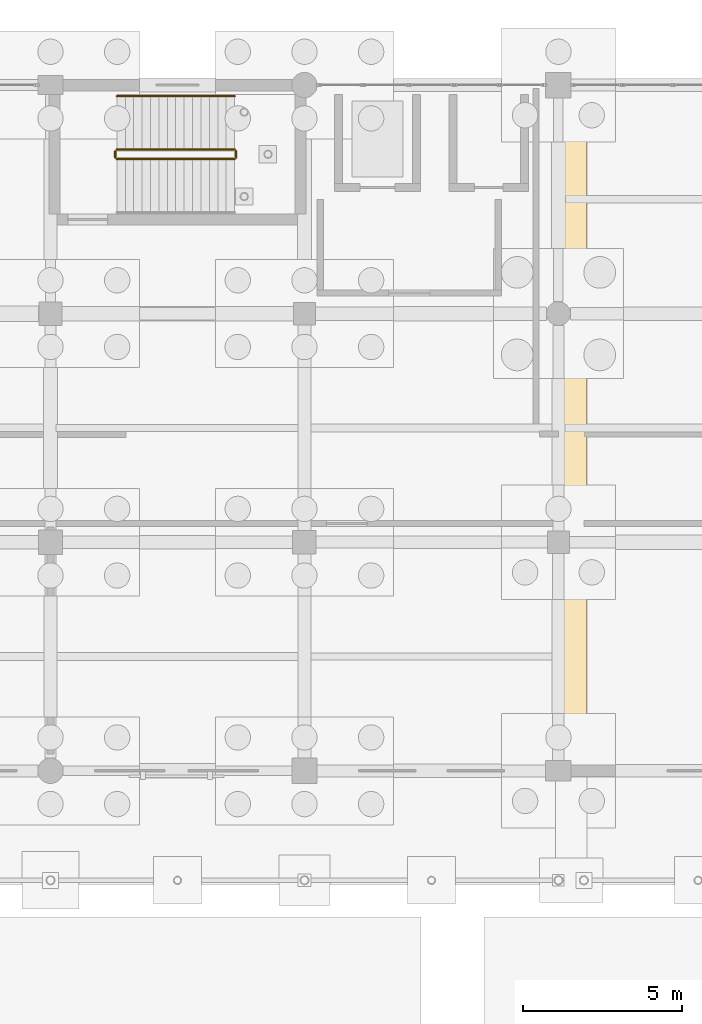
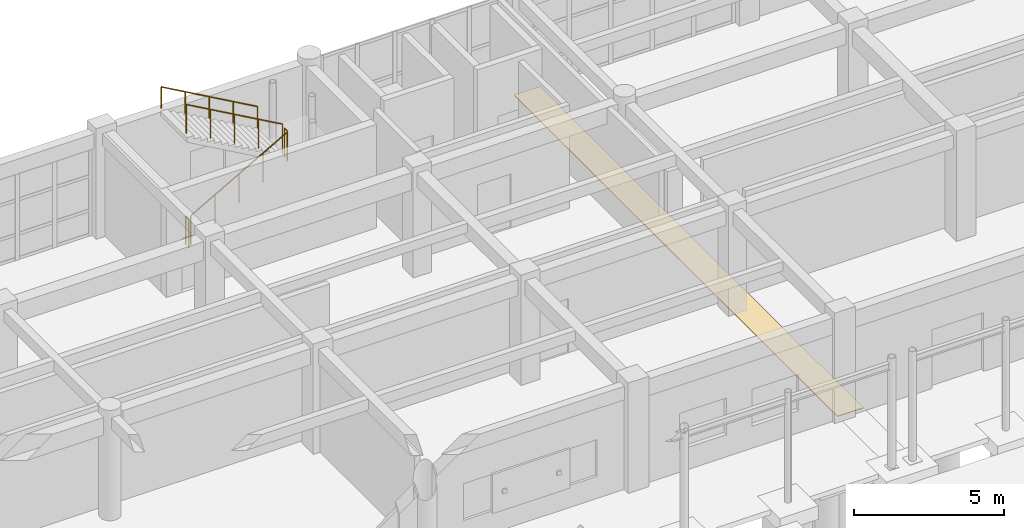
# One storey, part 161 of 166: 5 railings, 1 covering.
"""IFC4 building model written with IfcOpenShell, lengths in metres."""

from ifc_helpers import new_model, si_unit, direction, frame, origin, origin_2d, place, context, subcontext, project, spatial, polyline, circle, outline, extrude, material, layer, layer_set, type_object, element, save


model = new_model("IFC4")

# Units and contexts
model_context = context("Model", 3, precision=1e-05, world=origin(), true_north=direction((0.0, 1.0)))
body_context = subcontext(model_context, "Body", "Model", "MODEL_VIEW")
ifc_project = project(units=[si_unit("LENGTHUNIT", "METRE"), si_unit("AREAUNIT", "SQUARE_METRE"), si_unit("VOLUMEUNIT", "CUBIC_METRE"), si_unit("PLANEANGLEUNIT", "RADIAN"), si_unit("MASSUNIT", "GRAM", prefix="KILO")], contexts=[model_context])

# Site, building, storey
site_placement = place(None, origin())
site = spatial("IfcSite", under=ifc_project, at=site_placement, CompositionType="ELEMENT")
building_placement = place(site_placement, origin())
building = spatial("IfcBuilding", under=site, at=building_placement, Name="Kharva Crest Polytechnic", CompositionType="ELEMENT")
storey_placement = place(building_placement, origin())
storey = spatial("IfcBuildingStorey", under=building, at=storey_placement, Name="L00", CompositionType="ELEMENT", Elevation=0.0)

# Covering
ifc_material_1 = material(Name="Anodised aluminium", Category="aluminium")
ifc_layer = layer(ifc_material_1, 0.030029296875, Name="Anodised aluminium")
ifc_layer_set = layer_set([ifc_layer], Name="Anodised aluminium")
covering_type = type_object("IfcCoveringType", Name="COV-SEISMIC-JOINT", PredefinedType="FLOORING", material=ifc_layer_set)
covering_placement = place(storey_placement, frame((0.0, 0.0, -0.030029296875)))
element("IfcCovering", 1, at=covering_placement, inside=storey, type_object=covering_type, Name="L00 Seismic Expansion Joint Floor Cover N_LAB", PredefinedType="FLOORING", context=body_context, shape_type="SweptSolid", body=[
    extrude(outline(polyline([(119.89990234375, 100.39990234375), (120.89990234375, 100.39990234375), (120.89990234375, 122.0), (119.89990234375, 122.0), (119.89990234375, 100.39990234375)])), origin(), (0.0, 0.0, 1.0), 0.030029296875),
])

# Railings
railing_type_1 = type_object("IfcRailingType", Name="RL-STAIR-GUARD-1200", PredefinedType="GUARDRAIL", material=ifc_material_1)
railing_1_placement = place(storey_placement, frame((106.090087890625, 119.669921875, 0.14990234375)))
element("IfcRailing", 2, at=railing_1_placement, inside=storey, type_object=railing_type_1, Name="L00 ST-04 stair guard 1", PredefinedType="GUARDRAIL", context=body_context, shape_type="SweptSolid", body=[
    extrude(circle(Radius=0.02392578125, at=origin_2d()), frame((0.0, 0.0, 1.17578125), z_axis=(0.870244811389, 0.0, 0.492619496418), x_axis=(0.0, 1.0, 0.0)), (0.0, 0.0, 1.0), 4.26318359375),
    extrude(circle(Radius=0.02099609375, at=origin_2d()), origin(), (0.0, 0.0, 1.0), 1.15185546875),
    extrude(circle(Radius=0.02099609375, at=origin_2d()), frame((0.927490234375, 0.0, 0.52490234375)), (0.0, 0.0, 1.0), 1.15185546875),
    extrude(circle(Radius=0.02099609375, at=origin_2d()), frame((1.85498046875, 0.0, 1.050048828125)), (0.0, 0.0, 1.0), 1.15185546875),
    extrude(circle(Radius=0.02099609375, at=origin_2d()), frame((2.782470703125, 0.0, 1.5751953125)), (0.0, 0.0, 1.0), 1.15185546875),
    extrude(circle(Radius=0.02099609375, at=origin_2d()), frame((3.7099609375, 0.0, 2.10009765625)), (0.0, 0.0, 1.0), 1.15185546875),
])
railing_2_placement = place(storey_placement, frame((109.85009765625, 119.719970703125, 2.25)))
element("IfcRailing", 3, at=railing_2_placement, inside=storey, type_object=railing_type_1, Name="L00 ST-04 stair guard 2", PredefinedType="GUARDRAIL", context=body_context, shape_type="SweptSolid", body=[
    extrude(circle(Radius=0.02392578125, at=origin_2d()), frame((0.0, 0.0, 1.17578125), z_axis=(0.0, 1.0, 0.0), x_axis=(-1.0, 0.0, 0.0)), (0.0, 0.0, 1.0), 0.199951171875),
    extrude(circle(Radius=0.02099609375, at=origin_2d()), origin(), (0.0, 0.0, 1.0), 1.15185546875),
    extrude(circle(Radius=0.02099609375, at=origin_2d()), frame((0.0, 0.199951171875, 0.0)), (0.0, 0.0, 1.0), 1.15185546875),
])
railing_3_placement = place(storey_placement, frame((109.800048828125, 119.969970703125, 2.39990234375)))
element("IfcRailing", 4, at=railing_3_placement, inside=storey, type_object=railing_type_1, Name="L00 ST-04 stair guard 3", PredefinedType="GUARDRAIL", context=body_context, shape_type="SweptSolid", body=[
    extrude(circle(Radius=0.02392578125, at=origin_2d()), frame((0.0, 0.0, 1.17578125), z_axis=(-0.870244811389, 0.0, 0.492619496418), x_axis=(0.0, -1.0, 0.0)), (0.0, 0.0, 1.0), 4.26318359375),
    extrude(circle(Radius=0.02099609375, at=origin_2d()), origin(), (0.0, 0.0, 1.0), 1.15185546875),
    extrude(circle(Radius=0.02099609375, at=origin_2d()), frame((-0.927490234375, 0.0, 0.52490234375)), (0.0, 0.0, 1.0), 1.15185546875),
    extrude(circle(Radius=0.02099609375, at=origin_2d()), frame((-1.85498046875, 0.0, 1.050048828125)), (0.0, 0.0, 1.0), 1.15185546875),
    extrude(circle(Radius=0.02099609375, at=origin_2d()), frame((-2.782470703125, 0.0, 1.5751953125)), (0.0, 0.0, 1.0), 1.15185546875),
    extrude(circle(Radius=0.02099609375, at=origin_2d()), frame((-3.7099609375, 0.0, 2.10009765625)), (0.0, 0.0, 1.0), 1.15185546875),
])
railing_4_placement = place(storey_placement, frame((106.0400390625, 119.719970703125, 0.0)))
element("IfcRailing", 5, at=railing_4_placement, inside=storey, type_object=railing_type_1, Name="L00 ST-04 stair guard 4", PredefinedType="GUARDRAIL", context=body_context, shape_type="SweptSolid", body=[
    extrude(circle(Radius=0.02392578125, at=origin_2d()), frame((0.0, 0.0, 1.17578125), z_axis=(0.0, 1.0, 0.0), x_axis=(-1.0, 0.0, 0.0)), (0.0, 0.0, 1.0), 0.199951171875),
    extrude(circle(Radius=0.02099609375, at=origin_2d()), origin(), (0.0, 0.0, 1.0), 1.15185546875),
    extrude(circle(Radius=0.02099609375, at=origin_2d()), frame((0.0, 0.199951171875, 0.0)), (0.0, 0.0, 1.0), 1.15185546875),
])
ifc_material_2 = material(Name="Teak timber", Category="wood")
railing_type_2 = type_object("IfcRailingType", Name="RL-STAIR-HAND-900", PredefinedType="HANDRAIL", material=ifc_material_2)
railing_5_placement = place(storey_placement, frame((109.800048828125, 121.64990234375, 2.39990234375)))
element("IfcRailing", 6, at=railing_5_placement, inside=storey, type_object=railing_type_2, Name="L00 ST-04 stair handrail 2", PredefinedType="HANDRAIL", context=body_context, shape_type="SweptSolid", body=[
    extrude(circle(Radius=0.02392578125, at=origin_2d()), frame((0.0, 0.0, 0.8759765625), z_axis=(-0.870244811389, 0.0, 0.492619496418), x_axis=(0.0, -1.0, 0.0)), (0.0, 0.0, 1.0), 4.26318359375),
    extrude(circle(Radius=0.02099609375, at=origin_2d()), origin(), (0.0, 0.0, 1.0), 0.851806640625),
    extrude(circle(Radius=0.02099609375, at=origin_2d()), frame((-0.927490234375, 0.0, 0.52490234375)), (0.0, 0.0, 1.0), 0.851806640625),
    extrude(circle(Radius=0.02099609375, at=origin_2d()), frame((-1.85498046875, 0.0, 1.050048828125)), (0.0, 0.0, 1.0), 0.851806640625),
    extrude(circle(Radius=0.02099609375, at=origin_2d()), frame((-2.782470703125, 0.0, 1.5751953125)), (0.0, 0.0, 1.0), 0.851806640625),
    extrude(circle(Radius=0.02099609375, at=origin_2d()), frame((-3.7099609375, 0.0, 2.10009765625)), (0.0, 0.0, 1.0), 0.851806640625),
])

save(model, "model.ifc")
